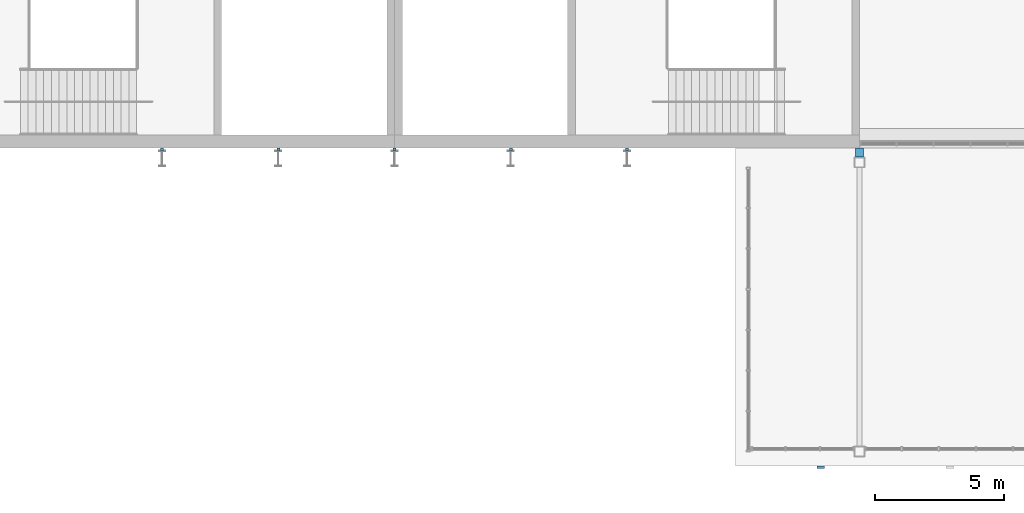
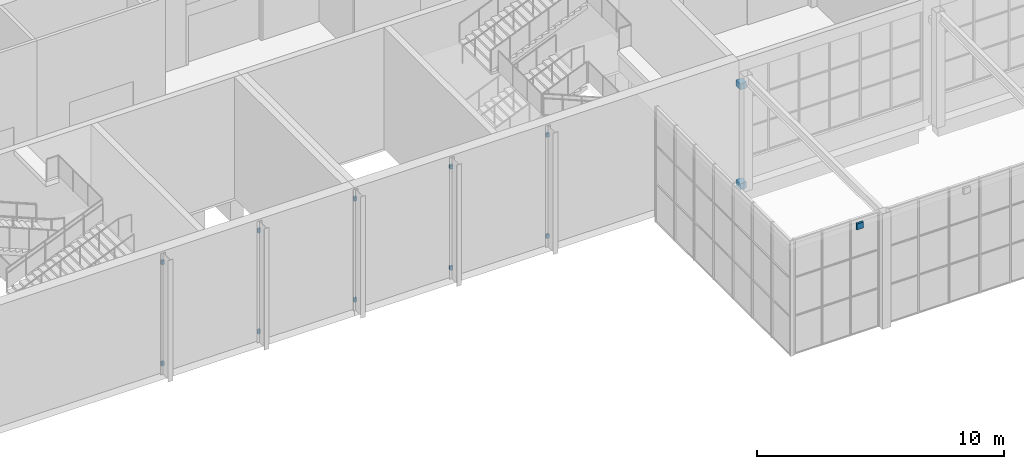
# One storey, part 54 of 89: 13 discrete accessories.
"""IFC4 building model written with IfcOpenShell, lengths in metres."""

from ifc_helpers import new_model, si_unit, direction, frame, origin, origin_2d, place, context, subcontext, project, spatial, rectangle, extrude, material, type_object, element, save


model = new_model("IFC4")

# Units and contexts
model_context = context("Model", 3, precision=1e-05, world=origin(), true_north=direction((0.0, 1.0)))
body_context = subcontext(model_context, "Body", "Model", "MODEL_VIEW")
ifc_project = project(units=[si_unit("LENGTHUNIT", "METRE"), si_unit("AREAUNIT", "SQUARE_METRE"), si_unit("VOLUMEUNIT", "CUBIC_METRE"), si_unit("PLANEANGLEUNIT", "RADIAN"), si_unit("MASSUNIT", "GRAM", prefix="KILO")], contexts=[model_context])

# Site, building, storey
site_placement = place(None, origin())
site = spatial("IfcSite", under=ifc_project, at=site_placement, CompositionType="ELEMENT")
building_placement = place(site_placement, origin())
building = spatial("IfcBuilding", under=site, at=building_placement, Name="Silverbay Arena", CompositionType="ELEMENT")
storey_placement = place(building_placement, frame((0.0, 0.0, 22.0)))
storey = spatial("IfcBuildingStorey", under=building, at=storey_placement, Name="L03", CompositionType="ELEMENT", Elevation=22.0)

# Discrete accessories
ifc_material = material(Name="Steel S355", Category="steel")
discrete_accessory_type = type_object("IfcDiscreteAccessoryType", Name="Steel bracket plate", PredefinedType="BRACKET", material=ifc_material)
for number, where, z_axis, x_axis, name in (
    (1, (90.0, 17.449951171875, 0.39990234375), (0.0, 0.0, 1.0), (1.0, 0.0, 0.0), "Fin bracket"),
    (2, (90.0, 17.449951171875, 5.39990234375), (0.0, 0.0, 1.0), (1.0, 0.0, 0.0), "Fin bracket"),
    (3, (94.5, 17.449951171875, 0.39990234375), (0.0, 0.0, 1.0), (1.0, 0.0, 0.0), "Fin bracket"),
    (4, (94.5, 17.449951171875, 5.39990234375), (0.0, 0.0, 1.0), (1.0, 0.0, 0.0), "Fin bracket"),
    (5, (99.0, 17.449951171875, 0.39990234375), (0.0, 0.0, 1.0), (1.0, 0.0, 0.0), "Fin bracket"),
    (6, (99.0, 17.449951171875, 5.39990234375), (0.0, 0.0, 1.0), (1.0, 0.0, 0.0), "Fin bracket"),
    (7, (103.5, 17.449951171875, 0.39990234375), (0.0, 0.0, 1.0), (1.0, 0.0, 0.0), "Fin bracket"),
    (8, (103.5, 17.449951171875, 5.39990234375), (0.0, 0.0, 1.0), (1.0, 0.0, 0.0), "Fin bracket"),
    (9, (108.0, 17.449951171875, 0.39990234375), (0.0, 0.0, 1.0), (1.0, 0.0, 0.0), "Fin bracket"),
    (10, (108.0, 17.449951171875, 5.39990234375), (0.0, 0.0, 1.0), (1.0, 0.0, 0.0), "Fin bracket"),
):
    element("IfcDiscreteAccessory", number, at=place(storey_placement, frame(where, z_axis=z_axis, x_axis=x_axis)), inside=storey, type_object=discrete_accessory_type, Name=name, PredefinedType="BRACKET", context=body_context, shape_type="SweptSolid", body=[
        extrude(rectangle(XDim=0.1201171875, YDim=0.10009765625, at=origin_2d()), origin(), (0.0, 0.0, 1.0), 0.199951171875),
    ])
for number, where, z_axis, x_axis, name in (
    (11, (117.0, 17.324951171875, -0.14990234375), (0.0, 0.0, 1.0), (1.0, 0.0, 0.0), "Hall column bracket plate"),
    (12, (117.0, 17.324951171875, 4.78271484375), (0.0, 0.0, 1.0), (1.0, 0.0, 0.0), "Hall column bracket plate"),
):
    element("IfcDiscreteAccessory", number, at=place(storey_placement, frame(where, z_axis=z_axis, x_axis=x_axis)), inside=storey, type_object=discrete_accessory_type, Name=name, PredefinedType="BRACKET", context=body_context, shape_type="SweptSolid", body=[
        extrude(rectangle(XDim=0.300048828125, YDim=0.35009765625, at=origin_2d()), origin(), (0.0, 0.0, 1.0), 0.300048828125),
    ])
discrete_accessory_placement = place(storey_placement, frame((115.5, 5.14990234375, 5.7001953125), z_axis=(0.0, 0.0, 1.0), x_axis=(1.0, 0.0, 0.0)))
element("IfcDiscreteAccessory", 13, at=discrete_accessory_placement, inside=storey, type_object=discrete_accessory_type, Name="Canopy tie roof lug plate", PredefinedType="BRACKET", context=body_context, shape_type="SweptSolid", body=[
    extrude(rectangle(XDim=0.300048828125, YDim=0.10009765625, at=origin_2d()), origin(), (0.0, 0.0, 1.0), 0.300048828125),
])

save(model, "model.ifc")
